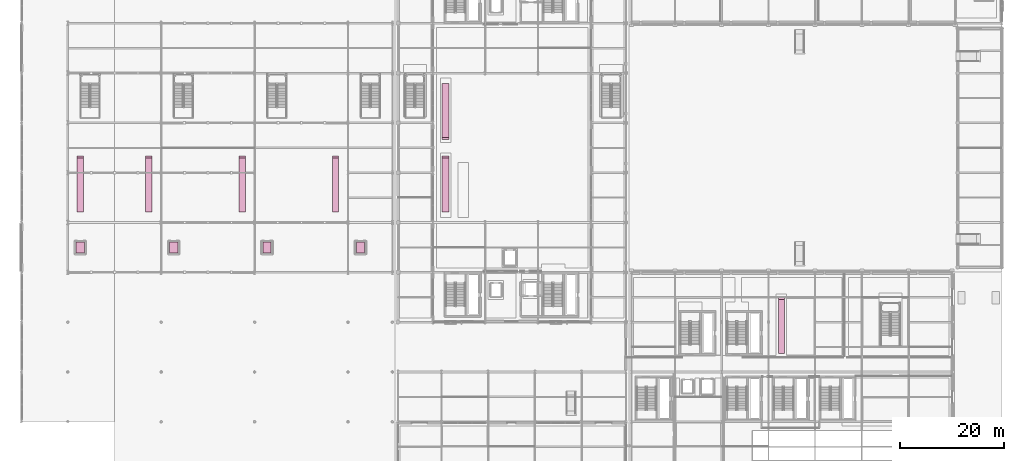
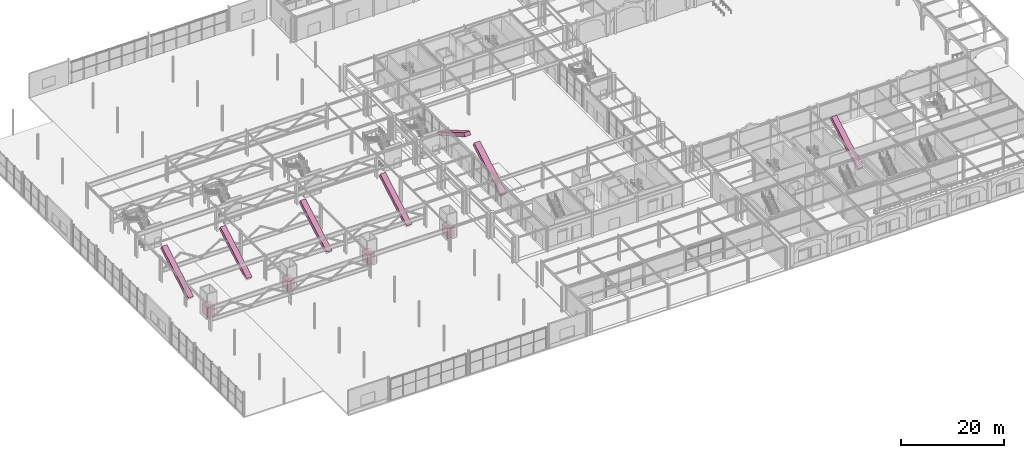
# One storey, part 113 of 113: 11 transport elements.
"""IFC4 building model written with IfcOpenShell, lengths in metres."""

from ifc_helpers import new_model, si_unit, direction, frame, origin, origin_2d, place, context, subcontext, project, spatial, polyline, rectangle, outline, extrude, material, type_object, element, save


model = new_model("IFC4")

# Units and contexts
model_context = context("Model", 3, precision=1e-05, world=origin(), true_north=direction((0.0, 1.0)))
body_context = subcontext(model_context, "Body", "Model", "MODEL_VIEW")
ifc_project = project(units=[si_unit("LENGTHUNIT", "METRE"), si_unit("AREAUNIT", "SQUARE_METRE"), si_unit("VOLUMEUNIT", "CUBIC_METRE"), si_unit("PLANEANGLEUNIT", "RADIAN"), si_unit("MASSUNIT", "GRAM", prefix="KILO")], contexts=[model_context])

# Site, building, storey
site_placement = place(None, origin())
site = spatial("IfcSite", under=ifc_project, at=site_placement, CompositionType="ELEMENT")
building_placement = place(site_placement, origin())
building = spatial("IfcBuilding", under=site, at=building_placement, Name="Myrtia Square Station", CompositionType="ELEMENT")
storey_placement = place(building_placement, origin())
storey = spatial("IfcBuildingStorey", under=building, at=storey_placement, Name="L00", CompositionType="ELEMENT", Elevation=0.0)

# Transport elements
ifc_material = material(Name="Dark bronze anodised aluminium", Category="aluminium")
transport_element_type_1 = type_object("IfcTransportElementType", Name="TR-ESCALATOR", PredefinedType="ESCALATOR", material=ifc_material)
for number, where, z_axis, x_axis, name in (
    (1, (10.800048828125, 50.0, 0.0), (0.0, -0.499725974117, 0.866183554908), (0.0, 0.866183554908, 0.499725974117), "Public passenger escalator ESC-01"),
    (2, (24.0, 50.0, 0.0), (0.0, -0.499725974117, 0.866183554908), (0.0, 0.866183554908, 0.499725974117), "Public passenger escalator ESC-02"),
    (3, (42.0, 50.0, 0.0), (0.0, -0.499725974117, 0.866183554908), (0.0, 0.866183554908, 0.499725974117), "Public passenger escalator ESC-03"),
    (4, (60.0, 50.0, 0.0), (0.0, -0.499725974117, 0.866183554908), (0.0, 0.866183554908, 0.499725974117), "Public passenger escalator ESC-04"),
):
    element("IfcTransportElement", number, at=place(storey_placement, frame(where, z_axis=z_axis, x_axis=x_axis)), inside=storey, type_object=transport_element_type_1, Name=name, PredefinedType="ESCALATOR", context=body_context, shape_type="SweptSolid", body=[
        extrude(outline(polyline([(0.0, 0.0), (12.006580227505946, 0.0), (12.006580227505946, -1.1999511718750002), (0.0, -1.1999511718750002), (0.0, 0.0)])), origin(), (0.0, 0.0, -1.0), 0.85009765625),
    ])
transport_element_1_placement = place(storey_placement, frame((81.125, 50.0, 0.0), z_axis=(0.0, -0.499725974117, 0.866183554908), x_axis=(0.0, 0.866183554908, 0.499725974117)))
element("IfcTransportElement", 5, at=transport_element_1_placement, inside=storey, type_object=transport_element_type_1, Name="Public passenger escalator ESC-05", PredefinedType="ESCALATOR", context=body_context, shape_type="SweptSolid", body=[
    extrude(outline(polyline([(0.0, 0.0), (12.006580227505946, 0.0), (12.006580227505946, -1.35009765625), (0.0, -1.35009765625), (0.0, 0.0)])), origin(), (0.0, 0.0, -1.0), 0.85009765625),
])
transport_element_2_placement = place(storey_placement, frame((82.47509765625, 74.800048828125, 0.0), z_axis=(0.0, 0.499717172627, 0.866188632679), x_axis=(0.0, -0.866188632679, 0.499717172627)))
element("IfcTransportElement", 6, at=transport_element_2_placement, inside=storey, type_object=transport_element_type_1, Name="Public passenger escalator ESC-06", PredefinedType="ESCALATOR", context=body_context, shape_type="SweptSolid", body=[
    extrude(outline(polyline([(0.0, 0.0), (12.006791698720257, 0.0), (12.006791698720257, -1.35009765625), (0.0, -1.35009765625), (0.0, 0.0)])), origin(), (0.0, 0.0, -1.0), 0.85009765625),
])
transport_element_3_placement = place(storey_placement, frame((145.89990234375, 22.800048828125, 0.0), z_axis=(0.0, -0.499725974117, 0.866183554908), x_axis=(0.0, 0.866183554908, 0.499725974117)))
element("IfcTransportElement", 7, at=transport_element_3_placement, inside=storey, type_object=transport_element_type_1, Name="Public passenger escalator ESC-08", PredefinedType="ESCALATOR", context=body_context, shape_type="SweptSolid", body=[
    extrude(outline(polyline([(0.0, 0.0), (12.006580227505946, 0.0), (12.006580227505946, -1.2001953125), (0.0, -1.2001953125), (0.0, 0.0)])), origin(), (0.0, 0.0, -1.0), 0.85009765625),
])
transport_element_type_2 = type_object("IfcTransportElementType", Name="TR-LIFT-PASS", PredefinedType="ELEVATOR", material=ifc_material)
for number, where, z_axis, x_axis, name in (
    (8, (11.39990234375, 43.199951171875, 0.0), (0.0, 0.0, 1.0), (1.0, 0.0, 0.0), "Passenger lift PL-01"),
    (9, (29.39990234375, 43.199951171875, 0.0), (0.0, 0.0, 1.0), (1.0, 0.0, 0.0), "Passenger lift PL-02"),
    (10, (47.39990234375, 43.199951171875, 0.0), (0.0, 0.0, 1.0), (1.0, 0.0, 0.0), "Passenger lift PL-03"),
    (11, (65.39990234375, 43.199951171875, 0.0), (0.0, 0.0, 1.0), (1.0, 0.0, 0.0), "Passenger lift PL-04"),
):
    element("IfcTransportElement", number, at=place(storey_placement, frame(where, z_axis=z_axis, x_axis=x_axis)), inside=storey, type_object=transport_element_type_2, Name=name, PredefinedType="ELEVATOR", context=body_context, shape_type="SweptSolid", body=[
        extrude(rectangle(XDim=1.60009765625, YDim=2.10009765625, at=origin_2d()), origin(), (0.0, 0.0, 1.0), 2.39990234375),
    ])

save(model, "model.ifc")
